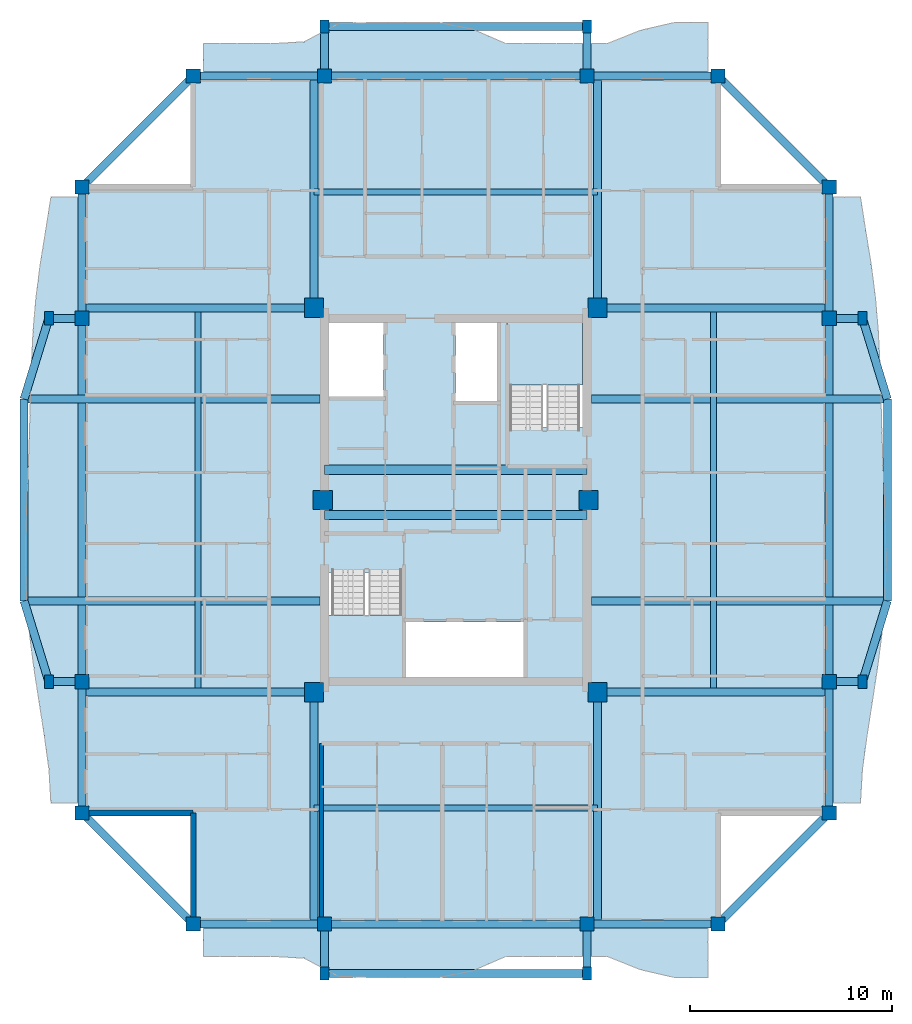
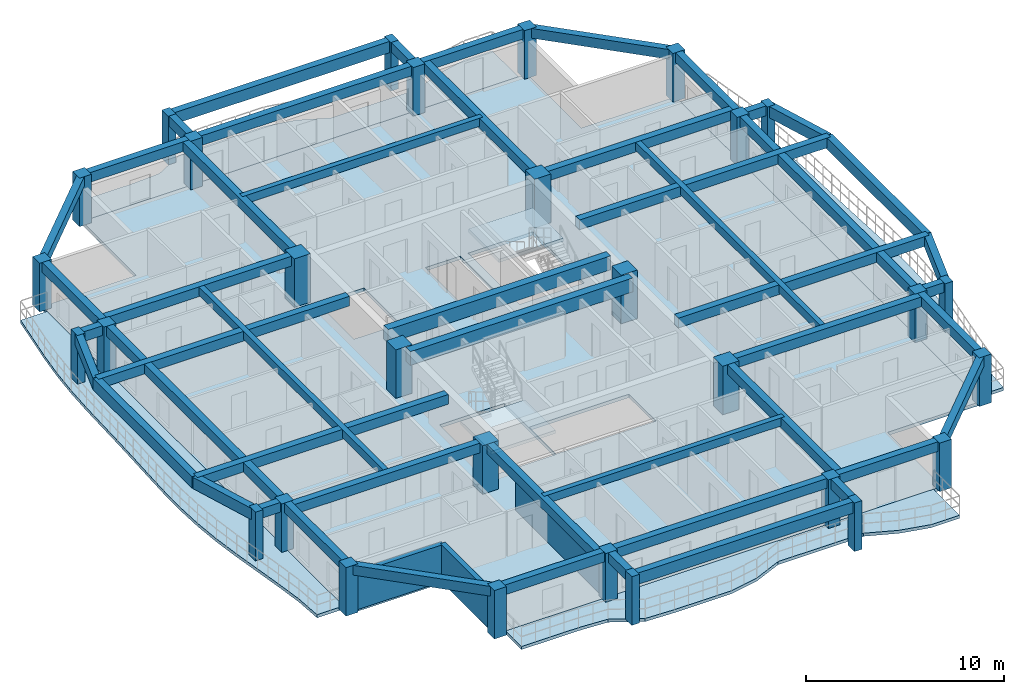
# One storey, part 1 of 14: 50 beams, 30 columns, 7 slabs, 3 walls, 2 elements without a shape of their own.
"""IFC4 building model written with IfcOpenShell, lengths in metres."""

from ifc_helpers import new_model, si_unit, direction, frame, frame_2d, origin, origin_2d, place, context, subcontext, project, spatial, polyline, rectangle, outline, extrude, source, transform, mapped, material, layer, layer_set, material_profile, profile_set, type_object, element, aggregate, save


model = new_model("IFC4")

# Units and contexts
model_context = context("Model", 3, precision=1e-05, world=origin(), true_north=direction((0.0, 1.0)))
body_context = subcontext(model_context, "Body", "Model", "MODEL_VIEW")
ifc_project = project(units=[si_unit("LENGTHUNIT", "METRE"), si_unit("AREAUNIT", "SQUARE_METRE"), si_unit("VOLUMEUNIT", "CUBIC_METRE"), si_unit("PLANEANGLEUNIT", "RADIAN"), si_unit("MASSUNIT", "GRAM", prefix="KILO")], contexts=[model_context])

# Site, building, storey
site_placement = place(None, origin())
site = spatial("IfcSite", under=ifc_project, at=site_placement, CompositionType="ELEMENT")
building_placement = place(site_placement, origin())
building = spatial("IfcBuilding", under=site, at=building_placement, Name="Saelheon Loggia Tower", CompositionType="ELEMENT")
storey_placement = place(building_placement, frame((0.0, 0.0, 210.300048828125)))
storey = spatial("IfcBuildingStorey", under=building, at=storey_placement, Name="L65", CompositionType="ELEMENT", Elevation=210.300048828125)

# Columns
ifc_material_1 = material(Name="Concrete C45/55", Category="concrete")
ifc_material_profile_1 = material_profile(ifc_material_1, rectangle(XDim=0.949951171875, YDim=0.949951171875, at=origin_2d()), Name="RC-950x950")
ifc_profile_set_1 = profile_set([ifc_material_profile_1], Name="Concrete C45/55")
column_type_1 = type_object("IfcColumnType", Name="Col_Core_RC950", PredefinedType="COLUMN", material=ifc_profile_set_1)
shared_shape_1 = source(origin(), body_context, "Body", "SweptSolid", [
    extrude(rectangle(XDim=0.949951171875, YDim=0.949951171875, at=origin_2d()), origin(), (0.0, 0.0, 1.0), 3.0),
])
for number, where, z_axis, x_axis, name in (
    (1, (30.97998046875, 17.47998046875, 0.0), (0.0, 0.0, 1.0), (1.0, 0.0, 0.0), "L65 Core Column CR-SW"),
    (2, (45.02001953125, 17.47998046875, 0.0), (0.0, 0.0, 1.0), (1.0, 0.0, 0.0), "L65 Core Column CR-SE"),
    (3, (30.97998046875, 36.52001953125, 0.0), (0.0, 0.0, 1.0), (1.0, 0.0, 0.0), "L65 Core Column CR-NW"),
    (4, (45.02001953125, 36.52001953125, 0.0), (0.0, 0.0, 1.0), (1.0, 0.0, 0.0), "L65 Core Column CR-NE"),
    (5, (31.419921875, 27.0, 0.0), (0.0, 0.0, 1.0), (1.0, 0.0, 0.0), "L65 Core Column CR-MW"),
    (6, (44.580078125, 27.0, 0.0), (0.0, 0.0, 1.0), (1.0, 0.0, 0.0), "L65 Core Column CR-ME"),
):
    element("IfcColumn", number, at=place(storey_placement, frame(where, z_axis=z_axis, x_axis=x_axis)), inside=storey, type_object=column_type_1, Name=name, PredefinedType="COLUMN", context=body_context, shape_type="MappedRepresentation", body=[
        mapped(shared_shape_1, transform((0.0, 0.0, 0.0), scale=1.0)),
    ])
ifc_material_2 = material(Name="Precast Concrete C45/55", Category="concrete")
ifc_material_profile_2 = material_profile(ifc_material_2, rectangle(XDim=0.449951171875, YDim=0.64990234375, at=origin_2d()), Name="RC-450x650")
ifc_profile_set_2 = profile_set([ifc_material_profile_2], Name="Precast Concrete C45/55")
column_type_2 = type_object("IfcColumnType", Name="Col_Loggia_Pilaster_650", PredefinedType="PILASTER", material=ifc_profile_set_2)
shared_shape_2 = source(origin(), body_context, "Body", "SweptSolid", [
    extrude(rectangle(XDim=0.449951171875, YDim=0.64990234375, at=origin_2d()), origin(), (0.0, 0.0, 1.0), 3.0),
])
for number, where, z_axis, x_axis, name in (
    (7, (31.5, 3.550048828125, 0.0), (0.0, 0.0, 1.0), (1.0, 0.0, 0.0), "L65 Loggia Frame Pilaster LP-S1"),
    (8, (44.5, 3.550048828125, 0.0), (0.0, 0.0, 1.0), (1.0, 0.0, 0.0), "L65 Loggia Frame Pilaster LP-S2"),
    (9, (31.5, 50.449951171875, 0.0), (0.0, 0.0, 1.0), (1.0, 0.0, 0.0), "L65 Loggia Frame Pilaster LP-N1"),
    (10, (44.5, 50.449951171875, 0.0), (0.0, 0.0, 1.0), (1.0, 0.0, 0.0), "L65 Loggia Frame Pilaster LP-N2"),
    (11, (58.14990234375, 18.0, 0.0), (0.0, 0.0, 1.0), (1.0, 0.0, 0.0), "L65 Loggia Frame Pilaster LP-E1"),
    (12, (58.14990234375, 36.0, 0.0), (0.0, 0.0, 1.0), (1.0, 0.0, 0.0), "L65 Loggia Frame Pilaster LP-E2"),
    (13, (17.85009765625, 18.0, 0.0), (0.0, 0.0, 1.0), (1.0, 0.0, 0.0), "L65 Loggia Frame Pilaster LP-W1"),
    (14, (17.85009765625, 36.0, 0.0), (0.0, 0.0, 1.0), (1.0, 0.0, 0.0), "L65 Loggia Frame Pilaster LP-W2"),
):
    element("IfcColumn", number, at=place(storey_placement, frame(where, z_axis=z_axis, x_axis=x_axis)), inside=storey, type_object=column_type_2, Name=name, PredefinedType="PILASTER", context=body_context, shape_type="MappedRepresentation", body=[
        mapped(shared_shape_2, transform((0.0, 0.0, 0.0), scale=1.0)),
    ])
ifc_material_profile_3 = material_profile(ifc_material_1, rectangle(XDim=0.699951171875, YDim=0.699951171875, at=origin_2d()), Name="RC-700x700")
ifc_profile_set_3 = profile_set([ifc_material_profile_3], Name="Concrete C45/55")
column_type_3 = type_object("IfcColumnType", Name="Col_Perim_RC700", PredefinedType="COLUMN", material=ifc_profile_set_3)
shared_shape_3 = source(origin(), body_context, "Body", "SweptSolid", [
    extrude(rectangle(XDim=0.699951171875, YDim=0.699951171875, at=origin_2d()), origin(), (0.0, 0.0, 1.0), 3.0),
])
for number, where, z_axis, x_axis, name in (
    (15, (25.0, 6.0, 0.0), (0.0, 0.0, 1.0), (1.0, 0.0, 0.0), "L65 Perimeter Column TP-S1"),
    (16, (31.5, 6.0, 0.0), (0.0, 0.0, 1.0), (1.0, 0.0, 0.0), "L65 Perimeter Column TP-SA"),
    (17, (44.5, 6.0, 0.0), (0.0, 0.0, 1.0), (1.0, 0.0, 0.0), "L65 Perimeter Column TP-SB"),
    (18, (51.0, 6.0, 0.0), (0.0, 0.0, 1.0), (1.0, 0.0, 0.0), "L65 Perimeter Column TP-S2"),
    (19, (56.5, 11.5, 0.0), (0.0, 0.0, 1.0), (1.0, 0.0, 0.0), "L65 Perimeter Column TP-E1"),
    (20, (56.5, 18.0, 0.0), (0.0, 0.0, 1.0), (1.0, 0.0, 0.0), "L65 Perimeter Column TP-EA"),
    (21, (56.5, 36.0, 0.0), (0.0, 0.0, 1.0), (1.0, 0.0, 0.0), "L65 Perimeter Column TP-EB"),
    (22, (56.5, 42.5, 0.0), (0.0, 0.0, 1.0), (1.0, 0.0, 0.0), "L65 Perimeter Column TP-E2"),
    (23, (51.0, 48.0, 0.0), (0.0, 0.0, 1.0), (1.0, 0.0, 0.0), "L65 Perimeter Column TP-N2"),
    (24, (44.5, 48.0, 0.0), (0.0, 0.0, 1.0), (1.0, 0.0, 0.0), "L65 Perimeter Column TP-NB"),
    (25, (31.5, 48.0, 0.0), (0.0, 0.0, 1.0), (1.0, 0.0, 0.0), "L65 Perimeter Column TP-NA"),
    (26, (25.0, 48.0, 0.0), (0.0, 0.0, 1.0), (1.0, 0.0, 0.0), "L65 Perimeter Column TP-N1"),
    (27, (19.5, 42.5, 0.0), (0.0, 0.0, 1.0), (1.0, 0.0, 0.0), "L65 Perimeter Column TP-W2"),
    (28, (19.5, 36.0, 0.0), (0.0, 0.0, 1.0), (1.0, 0.0, 0.0), "L65 Perimeter Column TP-WB"),
    (29, (19.5, 18.0, 0.0), (0.0, 0.0, 1.0), (1.0, 0.0, 0.0), "L65 Perimeter Column TP-WA"),
    (30, (19.5, 11.5, 0.0), (0.0, 0.0, 1.0), (1.0, 0.0, 0.0), "L65 Perimeter Column TP-W1"),
):
    element("IfcColumn", number, at=place(storey_placement, frame(where, z_axis=z_axis, x_axis=x_axis)), inside=storey, type_object=column_type_3, Name=name, PredefinedType="COLUMN", context=body_context, shape_type="MappedRepresentation", body=[
        mapped(shared_shape_3, transform((0.0, 0.0, 0.0), scale=1.0)),
    ])

# Beams
ifc_material_3 = material(Name="Concrete C50/60", Category="concrete")
ifc_material_profile_4 = material_profile(ifc_material_3, rectangle(XDim=0.449951171875, YDim=0.85009765625, at=origin_2d()), Name="RC-450x850")
ifc_profile_set_4 = profile_set([ifc_material_profile_4], Name="Concrete C50/60")
beam_type_1 = type_object("IfcBeamType", Name="Beam_CoreLintel_RC450x850", PredefinedType="LINTEL", material=ifc_profile_set_4)
shared_shape_4 = source(origin(), body_context, "Body", "SweptSolid", [
    extrude(rectangle(XDim=0.449951171875, YDim=0.85009765625, at=origin_2d()), origin(), (0.0, 0.0, 1.0), 13.0),
])
for number, where, z_axis, x_axis, name in (
    (31, (31.5, 26.25, 2.574951171875), (1.0, 0.0, 0.0), (0.0, 1.0, 0.0), "L65 Core Coupling Lintel 1"),
    (32, (31.5, 28.5, 2.574951171875), (1.0, 0.0, 0.0), (0.0, 1.0, 0.0), "L65 Core Coupling Lintel 2"),
):
    element("IfcBeam", number, at=place(storey_placement, frame(where, z_axis=z_axis, x_axis=x_axis)), inside=storey, type_object=beam_type_1, Name=name, PredefinedType="LINTEL", context=body_context, shape_type="MappedRepresentation", body=[
        mapped(shared_shape_4, transform((0.0, 0.0, 0.0), scale=1.0)),
    ])
ifc_material_profile_5 = material_profile(ifc_material_2, rectangle(XDim=0.39990234375, YDim=0.60009765625, at=origin_2d()), Name="RC-400x600")
ifc_profile_set_5 = profile_set([ifc_material_profile_5], Name="Precast Concrete C45/55")
beam_type_2 = type_object("IfcBeamType", Name="Beam_LoggiaTie_RC400x600", PredefinedType="BEAM", material=ifc_profile_set_5)
shared_shape_5 = source(origin(), body_context, "Body", "SweptSolid", [
    extrude(rectangle(XDim=0.39990234375, YDim=0.60009765625, at=origin_2d()), origin(), (0.0, 0.0, 1.0), 2.449951171875),
])
for number, where, z_axis, x_axis, name in (
    (33, (31.5, 6.0, 2.699951171875), (0.0, -1.0, 0.0), (1.0, 0.0, 0.0), "L65 Loggia Frame Tie Beam LP-S1"),
    (34, (44.5, 6.0, 2.699951171875), (0.0, -1.0, 0.0), (1.0, 0.0, 0.0), "L65 Loggia Frame Tie Beam LP-S2"),
    (35, (31.5, 48.0, 2.699951171875), (0.0, 1.0, 0.0), (-1.0, 0.0, 0.0), "L65 Loggia Frame Tie Beam LP-N1"),
    (36, (44.5, 48.0, 2.699951171875), (0.0, 1.0, 0.0), (-1.0, 0.0, 0.0), "L65 Loggia Frame Tie Beam LP-N2"),
):
    element("IfcBeam", number, at=place(storey_placement, frame(where, z_axis=z_axis, x_axis=x_axis)), inside=storey, type_object=beam_type_2, Name=name, PredefinedType="BEAM", context=body_context, shape_type="MappedRepresentation", body=[
        mapped(shared_shape_5, transform((0.0, 0.0, 0.0), scale=1.0)),
    ])
ifc_material_4 = material(Name="Concrete C40/50", Category="concrete")
ifc_material_profile_6 = material_profile(ifc_material_4, rectangle(XDim=0.300048828125, YDim=0.5, at=origin_2d()), Name="RC-300x500")
ifc_profile_set_6 = profile_set([ifc_material_profile_6], Name="Concrete C40/50")
beam_type_3 = type_object("IfcBeamType", Name="Beam_Joist_RC300x500", PredefinedType="JOIST", material=ifc_profile_set_6)
shared_shape_6 = source(origin(), body_context, "Body", "SweptSolid", [
    extrude(rectangle(XDim=0.300048828125, YDim=0.5, at=origin_2d()), origin(), (0.0, 0.0, 1.0), 14.0400390625),
])
for number, where, z_axis, x_axis, name in (
    (37, (30.97998046875, 11.739990234375, 2.75), (1.0, 0.0, 0.0), (0.0, 1.0, 0.0), "L65 South Floor Joist"),
    (38, (30.97998046875, 42.260009765625, 2.75), (1.0, 0.0, 0.0), (0.0, 1.0, 0.0), "L65 North Floor Joist"),
):
    element("IfcBeam", number, at=place(storey_placement, frame(where, z_axis=z_axis, x_axis=x_axis)), inside=storey, type_object=beam_type_3, Name=name, PredefinedType="JOIST", context=body_context, shape_type="MappedRepresentation", body=[
        mapped(shared_shape_6, transform((0.0, 0.0, 0.0), scale=1.0)),
    ])
shared_shape_7 = source(origin(), body_context, "Body", "SweptSolid", [
    extrude(rectangle(XDim=0.300048828125, YDim=0.5, at=origin_2d()), origin(), (0.0, 0.0, 1.0), 19.0400390625),
])
for number, where, z_axis, x_axis, name in (
    (39, (25.239990234375, 17.47998046875, 2.75), (0.0, 1.0, 0.0), (-1.0, 0.0, 0.0), "L65 West Floor Joist"),
    (40, (50.760009765625, 17.47998046875, 2.75), (0.0, 1.0, 0.0), (-1.0, 0.0, 0.0), "L65 East Floor Joist"),
):
    element("IfcBeam", number, at=place(storey_placement, frame(where, z_axis=z_axis, x_axis=x_axis)), inside=storey, type_object=beam_type_3, Name=name, PredefinedType="JOIST", context=body_context, shape_type="MappedRepresentation", body=[
        mapped(shared_shape_7, transform((0.0, 0.0, 0.0), scale=1.0)),
    ])
shared_shape_8 = source(origin(), body_context, "Body", "SweptSolid", [
    extrude(rectangle(XDim=0.39990234375, YDim=0.60009765625, at=origin_2d()), origin(), (0.0, 0.0, 1.0), 1.64990234375),
])
for number, where, z_axis, x_axis, name in (
    (41, (56.5, 18.0, 2.699951171875), (1.0, 0.0, 0.0), (0.0, 1.0, 0.0), "L65 Loggia Frame Tie Beam LP-E1"),
    (42, (56.5, 36.0, 2.699951171875), (1.0, 0.0, 0.0), (0.0, 1.0, 0.0), "L65 Loggia Frame Tie Beam LP-E2"),
    (43, (19.5, 18.0, 2.699951171875), (-1.0, 0.0, 0.0), (0.0, -1.0, 0.0), "L65 Loggia Frame Tie Beam LP-W1"),
    (44, (19.5, 36.0, 2.699951171875), (-1.0, 0.0, 0.0), (0.0, -1.0, 0.0), "L65 Loggia Frame Tie Beam LP-W2"),
):
    element("IfcBeam", number, at=place(storey_placement, frame(where, z_axis=z_axis, x_axis=x_axis)), inside=storey, type_object=beam_type_2, Name=name, PredefinedType="BEAM", context=body_context, shape_type="MappedRepresentation", body=[
        mapped(shared_shape_8, transform((0.0, 0.0, 0.0), scale=1.0)),
    ])
ifc_material_profile_7 = material_profile(ifc_material_2, rectangle(XDim=0.39990234375, YDim=0.699951171875, at=origin_2d()), Name="RC-400x700")
ifc_profile_set_7 = profile_set([ifc_material_profile_7], Name="Precast Concrete C45/55")
beam_type_4 = type_object("IfcBeamType", Name="Beam_LoggiaSpandrel_RC400x700", PredefinedType="SPANDREL", material=ifc_profile_set_7)
shared_shape_9 = source(origin(), body_context, "Body", "SweptSolid", [
    extrude(rectangle(XDim=0.39990234375, YDim=0.699951171875, at=origin_2d()), origin(), (0.0, 0.0, 1.0), 13.0),
])
for number, where, z_axis, x_axis, name in (
    (45, (31.5, 3.550048828125, 2.64990234375), (1.0, 0.0, 0.0), (0.0, 1.0, 0.0), "L65 Loggia Spandrel Beam S"),
    (46, (31.5, 50.449951171875, 2.64990234375), (1.0, 0.0, 0.0), (0.0, 1.0, 0.0), "L65 Loggia Spandrel Beam N"),
):
    element("IfcBeam", number, at=place(storey_placement, frame(where, z_axis=z_axis, x_axis=x_axis)), inside=storey, type_object=beam_type_4, Name=name, PredefinedType="SPANDREL", context=body_context, shape_type="MappedRepresentation", body=[
        mapped(shared_shape_9, transform((0.0, 0.0, 0.0), scale=1.0)),
    ])
shared_shape_10 = source(origin(), body_context, "Body", "SweptSolid", [
    extrude(rectangle(XDim=0.39990234375, YDim=0.699951171875, at=origin_2d()), origin(), (0.0, 0.0, 1.0), 4.184814453125),
])
for number, where, z_axis, x_axis, name in (
    (47, (58.14990234375, 18.0, 2.64990234375), (0.293913664135, 0.955831971653, 0.0), (-0.955831971653, 0.293913664135, 0.0), "L65 Curved Loggia Spandrel E 1"),
    (48, (59.3798828125, 32.0, 2.64990234375), (-0.293913664135, 0.955831971653, 0.0), (-0.955831971653, -0.293913664135, 0.0), "L65 Curved Loggia Spandrel E 3"),
    (49, (17.85009765625, 18.0, 2.64990234375), (-0.293913664135, 0.955831971653, 0.0), (-0.955831971653, -0.293913664135, 0.0), "L65 Curved Loggia Spandrel W 1"),
    (50, (16.6201171875, 32.0, 2.64990234375), (0.293913664135, 0.955831971653, 0.0), (-0.955831971653, 0.293913664135, 0.0), "L65 Curved Loggia Spandrel W 3"),
):
    element("IfcBeam", number, at=place(storey_placement, frame(where, z_axis=z_axis, x_axis=x_axis)), inside=storey, type_object=beam_type_4, Name=name, PredefinedType="SPANDREL", context=body_context, shape_type="MappedRepresentation", body=[
        mapped(shared_shape_10, transform((0.0, 0.0, 0.0), scale=1.0)),
    ])
shared_shape_11 = source(origin(), body_context, "Body", "SweptSolid", [
    extrude(rectangle(XDim=0.39990234375, YDim=0.699951171875, at=origin_2d()), origin(), (0.0, 0.0, 1.0), 10.0),
])
for number, where, z_axis, x_axis, name in (
    (51, (59.3798828125, 22.0, 2.64990234375), (0.0, 1.0, 0.0), (-1.0, 0.0, 0.0), "L65 Curved Loggia Spandrel E 2"),
    (52, (16.6201171875, 22.0, 2.64990234375), (0.0, 1.0, 0.0), (-1.0, 0.0, 0.0), "L65 Curved Loggia Spandrel W 2"),
):
    element("IfcBeam", number, at=place(storey_placement, frame(where, z_axis=z_axis, x_axis=x_axis)), inside=storey, type_object=beam_type_4, Name=name, PredefinedType="SPANDREL", context=body_context, shape_type="MappedRepresentation", body=[
        mapped(shared_shape_11, transform((0.0, 0.0, 0.0), scale=1.0)),
    ])
ifc_material_profile_8 = material_profile(ifc_material_4, rectangle(XDim=0.39990234375, YDim=0.60009765625, at=origin_2d()), Name="RC-400x600")
ifc_profile_set_8 = profile_set([ifc_material_profile_8], Name="Concrete C40/50")
beam_type_5 = type_object("IfcBeamType", Name="Beam_PerimUpper_RC400x600", PredefinedType="BEAM", material=ifc_profile_set_8)
shared_shape_12 = source(origin(), body_context, "Body", "SweptSolid", [
    extrude(rectangle(XDim=0.39990234375, YDim=0.60009765625, at=origin_2d()), origin(), (0.0, 0.0, 1.0), 13.0),
])
for number, where, z_axis, x_axis, name in (
    (53, (31.5, 6.0, 2.699951171875), (1.0, 0.0, 0.0), (0.0, 1.0, 0.0), "L65 Perimeter Frame Girder 02"),
    (54, (44.5, 48.0, 2.699951171875), (-1.0, 0.0, 0.0), (0.0, -1.0, 0.0), "L65 Perimeter Frame Girder 10"),
):
    element("IfcBeam", number, at=place(storey_placement, frame(where, z_axis=z_axis, x_axis=x_axis)), inside=storey, type_object=beam_type_5, Name=name, PredefinedType="BEAM", context=body_context, shape_type="MappedRepresentation", body=[
        mapped(shared_shape_12, transform((0.0, 0.0, 0.0), scale=1.0)),
    ])
shared_shape_13 = source(origin(), body_context, "Body", "SweptSolid", [
    extrude(rectangle(XDim=0.39990234375, YDim=0.60009765625, at=origin_2d()), origin(), (0.0, 0.0, 1.0), 18.0),
])
for number, where, z_axis, x_axis, name in (
    (55, (56.5, 18.0, 2.699951171875), (0.0, 1.0, 0.0), (-1.0, 0.0, 0.0), "L65 Perimeter Frame Girder 06"),
    (56, (19.5, 36.0, 2.699951171875), (0.0, -1.0, 0.0), (1.0, 0.0, 0.0), "L65 Perimeter Frame Girder 14"),
):
    element("IfcBeam", number, at=place(storey_placement, frame(where, z_axis=z_axis, x_axis=x_axis)), inside=storey, type_object=beam_type_5, Name=name, PredefinedType="BEAM", context=body_context, shape_type="MappedRepresentation", body=[
        mapped(shared_shape_13, transform((0.0, 0.0, 0.0), scale=1.0)),
    ])
ifc_material_profile_9 = material_profile(ifc_material_4, rectangle(XDim=0.39990234375, YDim=0.60009765625, at=origin_2d()), Name="RC-400x600")
ifc_profile_set_9 = profile_set([ifc_material_profile_9], Name="Concrete C40/50")
beam_type_6 = type_object("IfcBeamType", Name="Beam_UpperGirder_RC400x600", PredefinedType="BEAM", material=ifc_profile_set_9)
shared_shape_14 = source(origin(), body_context, "Body", "SweptSolid", [
    extrude(rectangle(XDim=0.39990234375, YDim=0.60009765625, at=origin_2d()), origin(), (0.0, 0.0, 1.0), 11.47998046875),
])
for number, where, z_axis, x_axis, name in (
    (57, (30.97998046875, 17.47998046875, 2.699951171875), (0.0, -1.0, 0.0), (1.0, 0.0, 0.0), "L65 Radial Floor Girder RAD-SW-S"),
    (58, (45.02001953125, 17.47998046875, 2.699951171875), (0.0, -1.0, 0.0), (1.0, 0.0, 0.0), "L65 Radial Floor Girder RAD-SE-S"),
    (59, (30.97998046875, 36.52001953125, 2.699951171875), (0.0, 1.0, 0.0), (-1.0, 0.0, 0.0), "L65 Radial Floor Girder RAD-NW-N"),
    (60, (45.02001953125, 36.52001953125, 2.699951171875), (0.0, 1.0, 0.0), (-1.0, 0.0, 0.0), "L65 Radial Floor Girder RAD-NE-N"),
    (61, (30.97998046875, 17.47998046875, 2.699951171875), (-1.0, 0.0, 0.0), (0.0, -1.0, 0.0), "L65 Radial Floor Girder RAD-SW-W"),
    (62, (30.97998046875, 36.52001953125, 2.699951171875), (-1.0, 0.0, 0.0), (0.0, -1.0, 0.0), "L65 Radial Floor Girder RAD-NW-W"),
    (63, (45.02001953125, 17.47998046875, 2.699951171875), (1.0, 0.0, 0.0), (0.0, 1.0, 0.0), "L65 Radial Floor Girder RAD-SE-E"),
    (64, (45.02001953125, 36.52001953125, 2.699951171875), (1.0, 0.0, 0.0), (0.0, 1.0, 0.0), "L65 Radial Floor Girder RAD-NE-E"),
):
    element("IfcBeam", number, at=place(storey_placement, frame(where, z_axis=z_axis, x_axis=x_axis)), inside=storey, type_object=beam_type_6, Name=name, PredefinedType="BEAM", context=body_context, shape_type="MappedRepresentation", body=[
        mapped(shared_shape_14, transform((0.0, 0.0, 0.0), scale=1.0)),
    ])
shared_shape_15 = source(origin(), body_context, "Body", "SweptSolid", [
    extrude(rectangle(XDim=0.39990234375, YDim=0.60009765625, at=origin_2d()), origin(), (0.0, 0.0, 1.0), 6.5),
])
for number, where, z_axis, x_axis, name in (
    (65, (25.0, 6.0, 2.699951171875), (1.0, 0.0, 0.0), (0.0, 1.0, 0.0), "L65 Perimeter Frame Girder 01"),
    (66, (44.5, 6.0, 2.699951171875), (1.0, 0.0, 0.0), (0.0, 1.0, 0.0), "L65 Perimeter Frame Girder 03"),
    (67, (56.5, 11.5, 2.699951171875), (0.0, 1.0, 0.0), (-1.0, 0.0, 0.0), "L65 Perimeter Frame Girder 05"),
    (68, (56.5, 36.0, 2.699951171875), (0.0, 1.0, 0.0), (-1.0, 0.0, 0.0), "L65 Perimeter Frame Girder 07"),
    (69, (51.0, 48.0, 2.699951171875), (-1.0, 0.0, 0.0), (0.0, -1.0, 0.0), "L65 Perimeter Frame Girder 09"),
    (70, (31.5, 48.0, 2.699951171875), (-1.0, 0.0, 0.0), (0.0, -1.0, 0.0), "L65 Perimeter Frame Girder 11"),
    (71, (19.5, 42.5, 2.699951171875), (0.0, -1.0, 0.0), (1.0, 0.0, 0.0), "L65 Perimeter Frame Girder 13"),
    (72, (19.5, 18.0, 2.699951171875), (0.0, -1.0, 0.0), (1.0, 0.0, 0.0), "L65 Perimeter Frame Girder 15"),
):
    element("IfcBeam", number, at=place(storey_placement, frame(where, z_axis=z_axis, x_axis=x_axis)), inside=storey, type_object=beam_type_5, Name=name, PredefinedType="BEAM", context=body_context, shape_type="MappedRepresentation", body=[
        mapped(shared_shape_15, transform((0.0, 0.0, 0.0), scale=1.0)),
    ])
shared_shape_16 = source(origin(), body_context, "Body", "SweptSolid", [
    extrude(rectangle(XDim=0.39990234375, YDim=0.60009765625, at=origin_2d()), origin(), (0.0, 0.0, 1.0), 7.778076171875),
])
for number, where, z_axis, x_axis, name in (
    (73, (51.0, 6.0, 2.699951171875), (0.707106781187, 0.707106781187, 0.0), (-0.707106781187, 0.707106781187, 0.0), "L65 Perimeter Frame Girder 04"),
    (74, (56.5, 42.5, 2.699951171875), (-0.707106781187, 0.707106781187, 0.0), (-0.707106781187, -0.707106781187, 0.0), "L65 Perimeter Frame Girder 08"),
    (75, (25.0, 48.0, 2.699951171875), (-0.707106781187, -0.707106781187, 0.0), (0.707106781187, -0.707106781187, 0.0), "L65 Perimeter Frame Girder 12"),
    (76, (19.5, 11.5, 2.699951171875), (0.707106781187, -0.707106781187, 0.0), (0.707106781187, 0.707106781187, 0.0), "L65 Perimeter Frame Girder 16"),
):
    element("IfcBeam", number, at=place(storey_placement, frame(where, z_axis=z_axis, x_axis=x_axis)), inside=storey, type_object=beam_type_5, Name=name, PredefinedType="BEAM", context=body_context, shape_type="MappedRepresentation", body=[
        mapped(shared_shape_16, transform((0.0, 0.0, 0.0), scale=1.0)),
    ])
shared_shape_17 = source(origin(), body_context, "Body", "SweptSolid", [
    extrude(rectangle(XDim=0.39990234375, YDim=0.60009765625, at=origin_2d()), origin(), (0.0, 0.0, 1.0), 14.659912109375),
])
for number, where, z_axis, x_axis, name in (
    (77, (44.719970703125, 22.0, 2.699951171875), (1.0, 0.0, 0.0), (0.0, 1.0, 0.0), "L65 Curved Facade Outrigger Beam E 1"),
    (78, (44.719970703125, 32.0, 2.699951171875), (1.0, 0.0, 0.0), (0.0, 1.0, 0.0), "L65 Curved Facade Outrigger Beam E 2"),
    (79, (31.280029296875, 22.0, 2.699951171875), (-1.0, 0.0, 0.0), (0.0, -1.0, 0.0), "L65 Curved Facade Outrigger Beam W 1"),
    (80, (31.280029296875, 32.0, 2.699951171875), (-1.0, 0.0, 0.0), (0.0, -1.0, 0.0), "L65 Curved Facade Outrigger Beam W 2"),
):
    element("IfcBeam", number, at=place(storey_placement, frame(where, z_axis=z_axis, x_axis=x_axis)), inside=storey, type_object=beam_type_2, Name=name, PredefinedType="BEAM", context=body_context, shape_type="MappedRepresentation", body=[
        mapped(shared_shape_17, transform((0.0, 0.0, 0.0), scale=1.0)),
    ])

# Slabs
ifc_layer_1 = layer(ifc_material_2, 0.18994140625)
ifc_layer_set_1 = layer_set([ifc_layer_1], Name="Precast Concrete C45/55")
slab_type_1 = type_object("IfcSlabType", Name="Slab_Loggia_Ext_190", PredefinedType="FLOOR", material=ifc_layer_set_1)
slab_1_placement = place(storey_placement, frame((0.0, 0.0, -0.18994140625)))
element("IfcSlab", 81, at=slab_1_placement, inside=storey, type_object=slab_type_1, Name="L65 Loggia Balcony Slab S", PredefinedType="FLOOR", context=body_context, shape_type="SweptSolid", body=[
    extrude(outline(polyline([(25.5, 4.39990234375), (27.166748046875, 4.39990234375), (28.833251953125, 4.39990234375), (30.5, 4.30322265625), (32.166748046875, 3.413818359375), (33.833251953125, 3.35009765625), (35.5, 3.35009765625), (37.166748046875, 3.35009765625), (38.833251953125, 3.67822265625), (40.5, 4.39990234375), (42.166748046875, 4.39990234375), (43.833251953125, 4.39990234375), (45.5, 4.39990234375), (47.166748046875, 3.732421875), (48.833251953125, 3.35009765625), (50.5, 3.35009765625), (50.5, 6.0), (25.5, 6.0), (25.5, 4.39990234375)])), origin(), (0.0, 0.0, 1.0), 0.18994140625),
])
slab_2_placement = place(storey_placement, frame((0.0, 0.0, -0.18994140625)))
element("IfcSlab", 82, at=slab_2_placement, inside=storey, type_object=slab_type_1, Name="L65 Loggia Balcony Slab N", PredefinedType="FLOOR", context=body_context, shape_type="SweptSolid", body=[
    extrude(outline(polyline([(25.5, 48.0), (50.5, 48.0), (50.5, 50.64990234375), (48.833251953125, 50.64990234375), (47.166748046875, 50.267578125), (45.5, 49.60009765625), (43.833251953125, 49.60009765625), (42.166748046875, 49.60009765625), (40.5, 49.60009765625), (38.833251953125, 50.32177734375), (37.166748046875, 50.64990234375), (35.5, 50.64990234375), (33.833251953125, 50.64990234375), (32.166748046875, 50.586181640625), (30.5, 49.69677734375), (28.833251953125, 49.60009765625), (27.166748046875, 49.60009765625), (25.5, 49.60009765625), (25.5, 48.0)])), origin(), (0.0, 0.0, 1.0), 0.18994140625),
])
slab_3_placement = place(storey_placement, frame((0.0, 0.0, -0.18994140625)))
element("IfcSlab", 83, at=slab_3_placement, inside=storey, type_object=slab_type_1, Name="L65 Loggia Balcony Slab E", PredefinedType="FLOOR", context=body_context, shape_type="SweptSolid", body=[
    extrude(outline(polyline([(56.5, 12.0), (58.050048828125, 12.0), (58.147705078125, 13.666748046875), (58.375732421875, 15.333251953125), (58.634765625, 17.0), (58.89208984375, 18.666748046875), (59.1083984375, 20.333251953125), (59.251953125, 22.0), (59.310546875, 23.666748046875), (59.29638671875, 25.333251953125), (59.23779296875, 27.0), (59.16845703125, 28.666748046875), (59.110595703125, 30.333251953125), (59.06640625, 32.0), (59.01806640625, 33.666748046875), (58.93603515625, 35.333251953125), (58.793701171875, 37.0), (58.5810546875, 38.666748046875), (58.310302734375, 40.333251953125), (58.050048828125, 42.0), (56.5, 42.0), (56.5, 12.0)])), origin(), (0.0, 0.0, 1.0), 0.18994140625),
])
slab_4_placement = place(storey_placement, frame((0.0, 0.0, -0.18994140625)))
element("IfcSlab", 84, at=slab_4_placement, inside=storey, type_object=slab_type_1, Name="L65 Loggia Balcony Slab W", PredefinedType="FLOOR", context=body_context, shape_type="SweptSolid", body=[
    extrude(outline(polyline([(19.5, 12.0), (19.5, 42.0), (17.949951171875, 42.0), (17.689697265625, 40.333251953125), (17.4189453125, 38.666748046875), (17.206298828125, 37.0), (17.06396484375, 35.333251953125), (16.98193359375, 33.666748046875), (16.93359375, 32.0), (16.889404296875, 30.333251953125), (16.83154296875, 28.666748046875), (16.76220703125, 27.0), (16.70361328125, 25.333251953125), (16.689453125, 23.666748046875), (16.748046875, 22.0), (16.8916015625, 20.333251953125), (17.10791015625, 18.666748046875), (17.365234375, 17.0), (17.624267578125, 15.333251953125), (17.852294921875, 13.666748046875), (17.949951171875, 12.0), (19.5, 12.0)])), origin(), (0.0, 0.0, 1.0), 0.18994140625),
])

# Stair, slab
stair_type = type_object("IfcStairType", Name="Stair_Escape_Core", PredefinedType="HALF_TURN_STAIR", material=ifc_material_4)
stair_1_placement = place(storey_placement, origin())
stair_1 = element("IfcStair", 85, at=stair_1_placement, inside=storey, type_object=stair_type, Name="L65 Special Escape Stair ST1", PredefinedType="HALF_TURN_STAIR")
ifc_layer_2 = layer(ifc_material_4, 0.199951171875)
ifc_layer_set_2 = layer_set([ifc_layer_2], Name="Concrete C40/50")
slab_type_2 = type_object("IfcSlabType", Name="Slab_StairLanding_ST1", PredefinedType="LANDING", material=ifc_layer_set_2)
slab_5_placement = place(storey_placement, frame((0.0, 0.0, 1.300048828125)))
slab_5 = element("IfcSlab", 86, at=slab_5_placement, type_object=slab_type_2, Name="ST1 landing 1", PredefinedType="LANDING", context=body_context, shape_type="SweptSolid", body=[
    extrude(outline(polyline([(31.7099609375, 21.31005859375), (31.7099609375, 18.2099609375), (35.469970703125, 18.2099609375), (35.469970703125, 21.31005859375), (31.7099609375, 21.31005859375)])), origin(), (0.0, 0.0, 1.0), 0.199951171875),
])
aggregate(stair_1, [slab_5])

stair_2_placement = place(storey_placement, origin())
stair_2 = element("IfcStair", 87, at=stair_2_placement, inside=storey, type_object=stair_type, Name="L65 Special Escape Stair ST2", PredefinedType="HALF_TURN_STAIR")
ifc_layer_3 = layer(ifc_material_4, 0.199951171875)
ifc_layer_set_3 = layer_set([ifc_layer_3], Name="Concrete C40/50")
slab_type_3 = type_object("IfcSlabType", Name="Slab_StairLanding_ST2", PredefinedType="LANDING", material=ifc_layer_set_3)
slab_6_placement = place(storey_placement, frame((0.0, 0.0, 1.300048828125)))
slab_6 = element("IfcSlab", 88, at=slab_6_placement, type_object=slab_type_3, Name="ST2 landing 1", PredefinedType="LANDING", context=body_context, shape_type="SweptSolid", body=[
    extrude(outline(polyline([(44.2900390625, 32.68994140625), (44.2900390625, 35.7900390625), (40.530029296875, 35.7900390625), (40.530029296875, 32.68994140625), (44.2900390625, 32.68994140625)])), origin(), (0.0, 0.0, 1.0), 0.199951171875),
])
aggregate(stair_2, [slab_6])

# Slab
ifc_layer_4 = layer(ifc_material_4, 0.2099609375)
ifc_layer_set_4 = layer_set([ifc_layer_4], Name="Concrete C40/50")
slab_type_4 = type_object("IfcSlabType", Name="Slab_Tower_210", PredefinedType="FLOOR", material=ifc_layer_set_4)
slab_7_placement = place(storey_placement, frame((0.0, 0.0, -0.2099609375)))
element("IfcSlab", 89, at=slab_7_placement, inside=storey, type_object=slab_type_4, Name="L65 Tower Floor Slab", PredefinedType="FLOOR", context=body_context, shape_type="SweptSolid", body=[
    extrude(outline(polyline([(25.0, 6.0), (51.0, 6.0), (51.0, 11.5), (56.5, 11.5), (56.5, 42.5), (51.0, 42.5), (51.0, 48.0), (25.0, 48.0), (25.0, 42.5), (19.5, 42.5), (19.5, 11.5), (25.0, 11.5), (25.0, 6.0)]), holes=[polyline([(31.699951171875, 23.409912109375), (31.699951171875, 18.199951171875), (35.47998046875, 18.199951171875), (35.47998046875, 23.409912109375), (31.699951171875, 23.409912109375)]), polyline([(44.300048828125, 30.590087890625), (44.300048828125, 35.800048828125), (40.52001953125, 35.800048828125), (40.52001953125, 30.590087890625), (44.300048828125, 30.590087890625)]), polyline([(35.530029296875, 18.22509765625), (41.35009765625, 18.22509765625), (41.35009765625, 20.9599609375), (35.530029296875, 20.9599609375), (35.530029296875, 18.22509765625)]), polyline([(31.72509765625, 32.1201171875), (34.419921875, 32.1201171875), (34.419921875, 35.77490234375), (31.72509765625, 35.77490234375), (31.72509765625, 32.1201171875)]), polyline([(38.0, 31.89990234375), (40.050048828125, 31.89990234375), (40.050048828125, 35.77490234375), (38.0, 35.77490234375), (38.0, 31.89990234375)])]), origin(), (0.0, 0.0, 1.0), 0.2099609375),
])

# Walls
ifc_material_5 = material(Name="Architectural Precast Concrete C40/50", Category="concrete")
ifc_layer_5 = layer(ifc_material_5, 0.280029296875)
ifc_layer_set_5 = layer_set([ifc_layer_5], Name="Architectural Precast Concrete C40/50")
wall_type_1 = type_object("IfcWallType", Name="Wall_Ext_Loggia_280", PredefinedType="SOLIDWALL", material=ifc_layer_set_5)
for number, where, z_axis, x_axis, name in (
    (90, (25.0, 6.080078125, 0.0), (0.0, 0.0, 1.0), (0.0, 1.0, 0.0), "L65 Corner Notch Precast Wall SW1"),
    (91, (19.580078125, 11.5, 0.0), (0.0, 0.0, 1.0), (1.0, 0.0, 0.0), "L65 Corner Notch Precast Wall SW2"),
):
    element("IfcWall", number, at=place(storey_placement, frame(where, z_axis=z_axis, x_axis=x_axis)), inside=storey, type_object=wall_type_1, Name=name, PredefinedType="SOLIDWALL", context=body_context, shape_type="SweptSolid", body=[
        extrude(rectangle(XDim=5.419921875, YDim=0.280029296875, at=frame_2d((2.7099609375, 0.0))), origin(), (0.0, 0.0, 1.0), 2.280029296875),
    ])
ifc_material_6 = material(Name="Double Acoustic Stud and Fireboard Partition", Category="gypsum")
ifc_layer_6 = layer(ifc_material_6, 0.199951171875)
ifc_layer_set_6 = layer_set([ifc_layer_6], Name="Double Acoustic Stud and Fireboard Partition")
wall_type_2 = type_object("IfcWallType", Name="Wall_Party_200", PredefinedType="PARTITIONING", material=ifc_layer_set_6)
wall_placement = place(storey_placement, frame((31.35009765625, 14.949951171875, 0.0), z_axis=(0.0, 0.0, 1.0), x_axis=(0.0, -1.0, 0.0)))
element("IfcWall", 92, at=wall_placement, inside=storey, type_object=wall_type_2, Name="L65 S Partition U01", PredefinedType="PARTITIONING", context=body_context, shape_type="SweptSolid", body=[
    extrude(rectangle(XDim=8.800048828125, YDim=0.199951171875, at=frame_2d((4.39990234375, 0.0))), origin(), (0.0, 0.0, 1.0), 2.389892578125),
])

save(model, "model.ifc")
